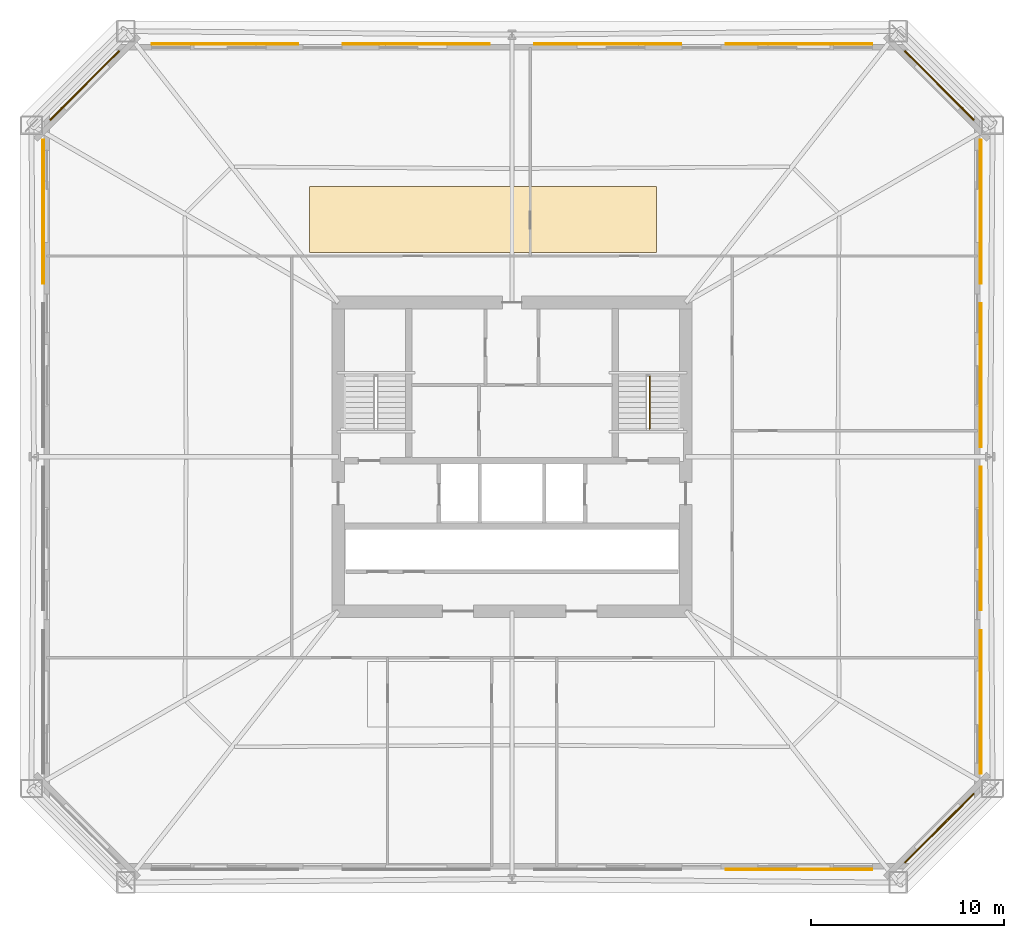
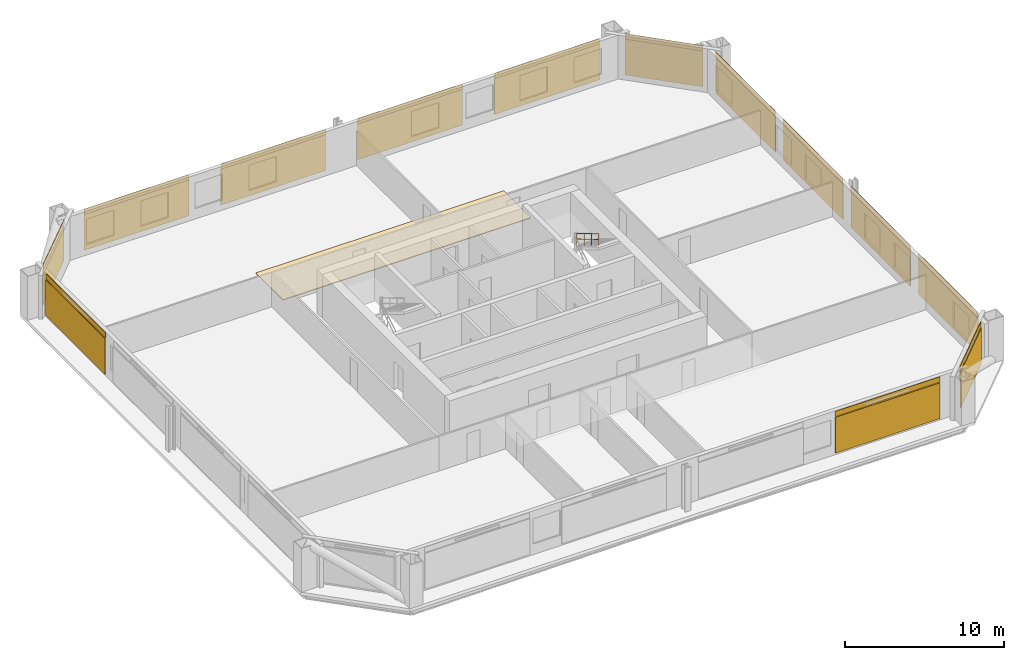
# One storey, part 9 of 9: 14 coverings, 13 shading devices, 1 railing.
"""IFC4 building model written with IfcOpenShell, lengths in metres."""

from ifc_helpers import new_model, si_unit, direction, frame, origin, origin_2d, place, context, subcontext, project, spatial, polyline, rectangle, circle, outline, extrude, material, layer, layer_set, type_object, element, save


model = new_model("IFC4")

# Units and contexts
model_context = context("Model", 3, precision=1e-05, world=origin(), true_north=direction((0.0, 1.0)))
body_context = subcontext(model_context, "Body", "Model", "MODEL_VIEW")
ifc_project = project(units=[si_unit("LENGTHUNIT", "METRE"), si_unit("AREAUNIT", "SQUARE_METRE"), si_unit("VOLUMEUNIT", "CUBIC_METRE"), si_unit("PLANEANGLEUNIT", "RADIAN"), si_unit("MASSUNIT", "GRAM", prefix="KILO")], contexts=[model_context])

# Site, building, storey
site_placement = place(None, origin())
site = spatial("IfcSite", under=ifc_project, at=site_placement, CompositionType="ELEMENT")
building_placement = place(site_placement, origin())
building = spatial("IfcBuilding", under=site, at=building_placement, Name="Caelvoria Tower", CompositionType="ELEMENT")
storey_placement = place(building_placement, frame((0.0, 0.0, 53.199951171875)))
storey = spatial("IfcBuildingStorey", under=building, at=storey_placement, Name="L13", CompositionType="ELEMENT", Elevation=53.199951171875)

# Coverings
ifc_material_1 = material(Name="Perforated Architectural Bronze Cladding Screen", Category="bronze")
ifc_layer_1 = layer(ifc_material_1, 0.0400390625, Name="Perforated Architectural Bronze Cladding Screen")
ifc_layer_set_1 = layer_set([ifc_layer_1], Name="Perforated Bronze Louvre Cladding Band 40 - Perforated Architectural Bronze Cladding Screen")
covering_type_1 = type_object("IfcCoveringType", Name="Perforated Bronze Louvre Cladding Band 40", PredefinedType="CLADDING", material=ifc_layer_set_1)
covering_1_placement = place(storey_placement, frame((60.8798828125, 10.6279296875, 2.940185546875), z_axis=(0.0, 0.0, 1.0), x_axis=(1.0, 0.0, 0.0)))
element("IfcCovering", 1, at=covering_1_placement, inside=storey, type_object=covering_type_1, Name="Perforated Bronze Screen Band L13-E0-03", PredefinedType="CLADDING", context=body_context, shape_type="SweptSolid", body=[
    extrude(rectangle(XDim=7.60009765625, YDim=0.0400390625, at=origin_2d()), origin(), (0.0, 0.0, 1.0), 0.39990234375),
])
covering_2_placement = place(storey_placement, frame((68.131591796875, 12.768310546875, 2.940185546875), z_axis=(0.0, 0.0, 1.0), x_axis=(0.707106781187, 0.707106781187, 0.0)))
element("IfcCovering", 2, at=covering_2_placement, inside=storey, type_object=covering_type_1, Name="Perforated Bronze Screen Band L13-E1-00", PredefinedType="CLADDING", context=body_context, shape_type="SweptSolid", body=[
    extrude(rectangle(XDim=5.060791015625, YDim=0.0400390625, at=origin_2d()), origin(), (0.0, 0.0, 1.0), 0.39990234375),
])
for number, where, z_axis, x_axis, name in (
    (3, (70.27197265625, 19.294921875, 2.940185546875), (0.0, 0.0, 1.0), (0.0, 1.0, 0.0), "Perforated Bronze Screen Band L13-E2-00"),
    (4, (70.27197265625, 27.764892578125, 2.940185546875), (0.0, 0.0, 1.0), (0.0, 1.0, 0.0), "Perforated Bronze Screen Band L13-E2-01"),
    (5, (70.27197265625, 36.235107421875, 2.940185546875), (0.0, 0.0, 1.0), (0.0, 1.0, 0.0), "Perforated Bronze Screen Band L13-E2-02"),
    (6, (70.27197265625, 44.705078125, 2.940185546875), (0.0, 0.0, 1.0), (0.0, 1.0, 0.0), "Perforated Bronze Screen Band L13-E2-03"),
):
    element("IfcCovering", number, at=place(storey_placement, frame(where, z_axis=z_axis, x_axis=x_axis)), inside=storey, type_object=covering_type_1, Name=name, PredefinedType="CLADDING", context=body_context, shape_type="SweptSolid", body=[
        extrude(rectangle(XDim=7.45361328125, YDim=0.0400390625, at=origin_2d()), origin(), (0.0, 0.0, 1.0), 0.39990234375),
    ])
covering_3_placement = place(storey_placement, frame((68.131591796875, 51.231689453125, 2.940185546875), z_axis=(0.0, 0.0, 1.0), x_axis=(-0.707106781187, 0.707106781187, 0.0)))
element("IfcCovering", 7, at=covering_3_placement, inside=storey, type_object=covering_type_1, Name="Perforated Bronze Screen Band L13-E3-00", PredefinedType="CLADDING", context=body_context, shape_type="SweptSolid", body=[
    extrude(rectangle(XDim=5.060791015625, YDim=0.0400390625, at=origin_2d()), origin(), (0.0, 0.0, 1.0), 0.39990234375),
])
for number, where, z_axis, x_axis, name in (
    (8, (60.8798828125, 53.3720703125, 2.940185546875), (0.0, 0.0, 1.0), (-1.0, 0.0, 0.0), "Perforated Bronze Screen Band L13-E4-00"),
    (9, (50.9599609375, 53.3720703125, 2.940185546875), (0.0, 0.0, 1.0), (-1.0, 0.0, 0.0), "Perforated Bronze Screen Band L13-E4-01"),
    (10, (41.0400390625, 53.3720703125, 2.940185546875), (0.0, 0.0, 1.0), (-1.0, 0.0, 0.0), "Perforated Bronze Screen Band L13-E4-02"),
    (11, (31.1201171875, 53.3720703125, 2.940185546875), (0.0, 0.0, 1.0), (-1.0, 0.0, 0.0), "Perforated Bronze Screen Band L13-E4-03"),
):
    element("IfcCovering", number, at=place(storey_placement, frame(where, z_axis=z_axis, x_axis=x_axis)), inside=storey, type_object=covering_type_1, Name=name, PredefinedType="CLADDING", context=body_context, shape_type="SweptSolid", body=[
        extrude(rectangle(XDim=7.60009765625, YDim=0.0400390625, at=origin_2d()), origin(), (0.0, 0.0, 1.0), 0.39990234375),
    ])
covering_4_placement = place(storey_placement, frame((23.868408203125, 51.231689453125, 2.940185546875), z_axis=(0.0, 0.0, 1.0), x_axis=(-0.707106781187, -0.707106781187, 0.0)))
element("IfcCovering", 12, at=covering_4_placement, inside=storey, type_object=covering_type_1, Name="Perforated Bronze Screen Band L13-E5-00", PredefinedType="CLADDING", context=body_context, shape_type="SweptSolid", body=[
    extrude(rectangle(XDim=5.060791015625, YDim=0.0400390625, at=origin_2d()), origin(), (0.0, 0.0, 1.0), 0.39990234375),
])
covering_5_placement = place(storey_placement, frame((21.72802734375, 44.705078125, 2.940185546875), z_axis=(0.0, 0.0, 1.0), x_axis=(0.0, -1.0, 0.0)))
element("IfcCovering", 13, at=covering_5_placement, inside=storey, type_object=covering_type_1, Name="Perforated Bronze Screen Band L13-E6-00", PredefinedType="CLADDING", context=body_context, shape_type="SweptSolid", body=[
    extrude(rectangle(XDim=7.45361328125, YDim=0.0400390625, at=origin_2d()), origin(), (0.0, 0.0, 1.0), 0.39990234375),
])

# Shading devices
ifc_material_2 = material(Name="Perforated Architectural Bronze Alloy Panel", Category="bronze")
ifc_layer_2 = layer(ifc_material_2, 0.044921875, Name="Perforated Architectural Bronze Alloy Panel")
ifc_layer_set_2 = layer_set([ifc_layer_2], Name="Perforated Bronze Solar Screen Panel SCREEN - Perforated Architectural Bronze Alloy Panel")
shading_device_type = type_object("IfcShadingDeviceType", Name="Perforated Bronze Solar Screen Panel SCREEN", PredefinedType="USERDEFINED", material=ifc_layer_set_2)
shading_device_1_placement = place(storey_placement, frame((60.8798828125, 10.5849609375, 0.16015625), z_axis=(0.0, 0.0, 1.0), x_axis=(1.0, 0.0, 0.0)))
element("IfcShadingDevice", 14, at=shading_device_1_placement, inside=storey, type_object=shading_device_type, Name="Perforated Bronze Solar Screen L13-E0-03", ObjectType="SCREEN", PredefinedType="USERDEFINED", context=body_context, shape_type="SweptSolid", body=[
    extrude(rectangle(XDim=7.60009765625, YDim=0.044921875, at=origin_2d()), origin(), (0.0, 0.0, 1.0), 2.75),
])
shading_device_2_placement = place(storey_placement, frame((68.162109375, 12.73779296875, 0.16015625), z_axis=(0.0, 0.0, 1.0), x_axis=(0.707106781187, 0.707106781187, 0.0)))
element("IfcShadingDevice", 15, at=shading_device_2_placement, inside=storey, type_object=shading_device_type, Name="Perforated Bronze Solar Screen L13-E1-00", ObjectType="SCREEN", PredefinedType="USERDEFINED", context=body_context, shape_type="SweptSolid", body=[
    extrude(rectangle(XDim=5.060791015625, YDim=0.044921875, at=origin_2d()), origin(), (0.0, 0.0, 1.0), 2.75),
])
for number, where, z_axis, x_axis, name in (
    (16, (70.31494140625, 19.294921875, 0.16015625), (0.0, 0.0, 1.0), (0.0, 1.0, 0.0), "Perforated Bronze Solar Screen L13-E2-00"),
    (17, (70.31494140625, 27.764892578125, 0.16015625), (0.0, 0.0, 1.0), (0.0, 1.0, 0.0), "Perforated Bronze Solar Screen L13-E2-01"),
    (18, (70.31494140625, 36.235107421875, 0.16015625), (0.0, 0.0, 1.0), (0.0, 1.0, 0.0), "Perforated Bronze Solar Screen L13-E2-02"),
    (19, (70.31494140625, 44.705078125, 0.16015625), (0.0, 0.0, 1.0), (0.0, 1.0, 0.0), "Perforated Bronze Solar Screen L13-E2-03"),
):
    element("IfcShadingDevice", number, at=place(storey_placement, frame(where, z_axis=z_axis, x_axis=x_axis)), inside=storey, type_object=shading_device_type, Name=name, ObjectType="SCREEN", PredefinedType="USERDEFINED", context=body_context, shape_type="SweptSolid", body=[
        extrude(rectangle(XDim=7.45361328125, YDim=0.044921875, at=origin_2d()), origin(), (0.0, 0.0, 1.0), 2.75),
    ])
shading_device_3_placement = place(storey_placement, frame((68.162109375, 51.26220703125, 0.16015625), z_axis=(0.0, 0.0, 1.0), x_axis=(-0.707106781187, 0.707106781187, 0.0)))
element("IfcShadingDevice", 20, at=shading_device_3_placement, inside=storey, type_object=shading_device_type, Name="Perforated Bronze Solar Screen L13-E3-00", ObjectType="SCREEN", PredefinedType="USERDEFINED", context=body_context, shape_type="SweptSolid", body=[
    extrude(rectangle(XDim=5.060791015625, YDim=0.044921875, at=origin_2d()), origin(), (0.0, 0.0, 1.0), 2.75),
])
for number, where, z_axis, x_axis, name in (
    (21, (60.8798828125, 53.4150390625, 0.16015625), (0.0, 0.0, 1.0), (-1.0, 0.0, 0.0), "Perforated Bronze Solar Screen L13-E4-00"),
    (22, (50.9599609375, 53.4150390625, 0.16015625), (0.0, 0.0, 1.0), (-1.0, 0.0, 0.0), "Perforated Bronze Solar Screen L13-E4-01"),
    (23, (41.0400390625, 53.4150390625, 0.16015625), (0.0, 0.0, 1.0), (-1.0, 0.0, 0.0), "Perforated Bronze Solar Screen L13-E4-02"),
    (24, (31.1201171875, 53.4150390625, 0.16015625), (0.0, 0.0, 1.0), (-1.0, 0.0, 0.0), "Perforated Bronze Solar Screen L13-E4-03"),
):
    element("IfcShadingDevice", number, at=place(storey_placement, frame(where, z_axis=z_axis, x_axis=x_axis)), inside=storey, type_object=shading_device_type, Name=name, ObjectType="SCREEN", PredefinedType="USERDEFINED", context=body_context, shape_type="SweptSolid", body=[
        extrude(rectangle(XDim=7.60009765625, YDim=0.044921875, at=origin_2d()), origin(), (0.0, 0.0, 1.0), 2.75),
    ])
shading_device_4_placement = place(storey_placement, frame((23.837890625, 51.26220703125, 0.16015625), z_axis=(0.0, 0.0, 1.0), x_axis=(-0.707106781187, -0.707106781187, 0.0)))
element("IfcShadingDevice", 25, at=shading_device_4_placement, inside=storey, type_object=shading_device_type, Name="Perforated Bronze Solar Screen L13-E5-00", ObjectType="SCREEN", PredefinedType="USERDEFINED", context=body_context, shape_type="SweptSolid", body=[
    extrude(rectangle(XDim=5.060791015625, YDim=0.044921875, at=origin_2d()), origin(), (0.0, 0.0, 1.0), 2.75),
])
shading_device_5_placement = place(storey_placement, frame((21.68505859375, 44.705078125, 0.16015625), z_axis=(0.0, 0.0, 1.0), x_axis=(0.0, -1.0, 0.0)))
element("IfcShadingDevice", 26, at=shading_device_5_placement, inside=storey, type_object=shading_device_type, Name="Perforated Bronze Solar Screen L13-E6-00", ObjectType="SCREEN", PredefinedType="USERDEFINED", context=body_context, shape_type="SweptSolid", body=[
    extrude(rectangle(XDim=7.45361328125, YDim=0.044921875, at=origin_2d()), origin(), (0.0, 0.0, 1.0), 2.75),
])

# Covering
ifc_material_3 = material(Name="Calcium-Sulphate Raised Floor Tile", Category="gypsum")
ifc_layer_3 = layer(ifc_material_3, 0.06005859375, Name="Calcium-Sulphate Raised Floor Tile")
ifc_layer_set_3 = layer_set([ifc_layer_3], Name="Raised Access Office Floor System 120 - Calcium-Sulphate Raised Floor Tile")
covering_type_2 = type_object("IfcCoveringType", Name="Raised Access Office Floor System 120", PredefinedType="FLOORING", material=ifc_layer_set_3)
covering_6_placement = place(storey_placement, origin())
element("IfcCovering", 27, at=covering_6_placement, inside=storey, type_object=covering_type_2, Name="Raised Access Flooring L13", PredefinedType="FLOORING", context=body_context, shape_type="SweptSolid", body=[
    extrude(outline(polyline([(35.5, 42.60009765625), (53.5, 42.60009765625), (53.5, 46.0), (35.5, 46.0), (35.5, 42.60009765625)])), origin(), (0.0, 0.0, 1.0), 0.06005859375),
])

# Railing
ifc_material_4 = material(Name="Brushed Stainless Steel Tube", Category="steel")
railing_type = type_object("IfcRailingType", Name="Stair Tubular Stainless Handrail 920", PredefinedType="HANDRAIL", material=ifc_material_4)
railing_placement = place(storey_placement, frame((53.1298828125, 36.199951171875, 1.963623046875)))
element("IfcRailing", 28, at=railing_placement, inside=storey, type_object=railing_type, Name="ST-02 Flight 2 Handrail L13", PredefinedType="HANDRAIL", context=body_context, shape_type="SweptSolid", body=[
    extrude(circle(Radius=0.02392578125, at=origin_2d()), frame((0.0, 0.0, 0.89599609375), z_axis=(0.0, -0.859351957796, 0.511384603436), x_axis=(1.0, 0.0, 0.0)), (0.0, 0.0, 1.0), 3.2001953125),
    extrude(circle(Radius=0.02392578125, at=origin_2d()), frame((0.0, 0.0, 0.4599609375), z_axis=(0.0, -0.859351957796, 0.511384603436), x_axis=(1.0, 0.0, 0.0)), (0.0, 0.0, 1.0), 3.2001953125),
    extrude(circle(Radius=0.02099609375, at=origin_2d()), origin(), (0.0, 0.0, 1.0), 0.871826171875),
    extrude(circle(Radius=0.02099609375, at=origin_2d()), frame((0.0, -0.916748046875, 0.54541015625)), (0.0, 0.0, 1.0), 0.871826171875),
    extrude(circle(Radius=0.02099609375, at=origin_2d()), frame((0.0, -1.833251953125, 1.091064453125)), (0.0, 0.0, 1.0), 0.871826171875),
    extrude(circle(Radius=0.02099609375, at=origin_2d()), frame((0.0, -2.75, 1.636474609375)), (0.0, 0.0, 1.0), 0.871826171875),
])

save(model, "model.ifc")
